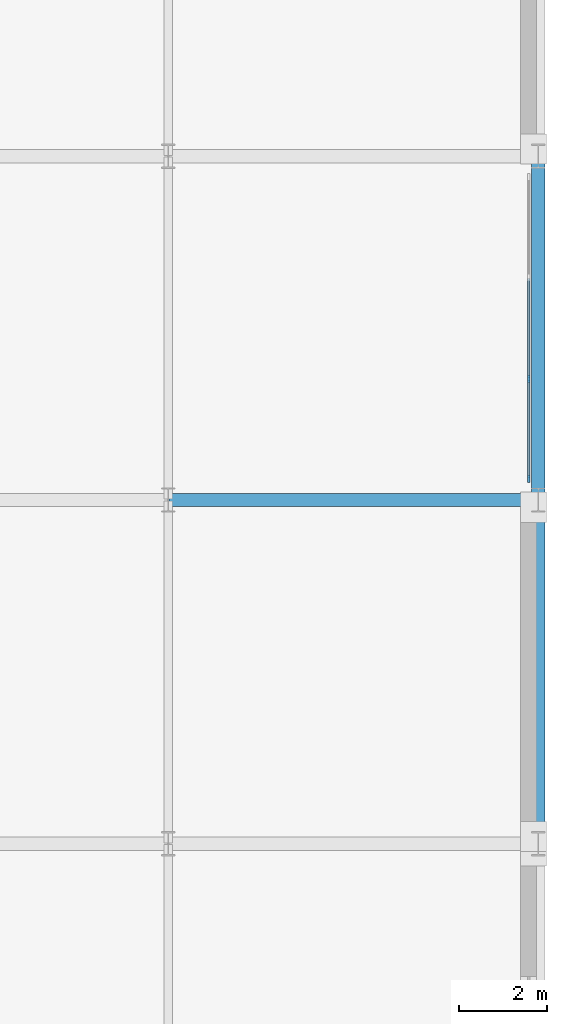
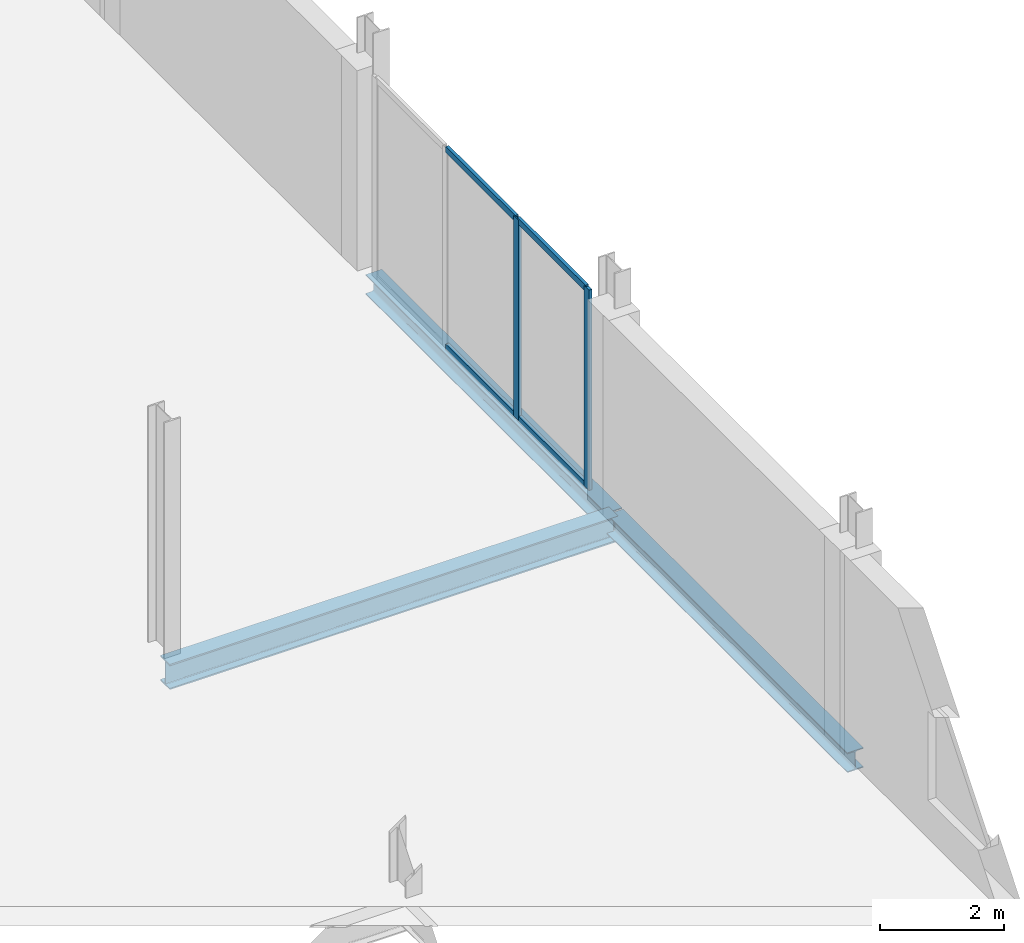
# One storey, part 53 of 98: 6 members, 3 beams, 1 element without a shape of its own.
"""IFC4 building model written with IfcOpenShell, lengths in metres."""

from ifc_helpers import new_model, si_unit, direction, frame, origin, origin_2d, place, context, subcontext, project, spatial, rectangle, i_section, extrude, material, material_profile, profile_set, type_object, element, aggregate, save


model = new_model("IFC4")

# Units and contexts
model_context = context("Model", 3, precision=1e-05, world=origin(), true_north=direction((0.0, 1.0)))
body_context = subcontext(model_context, "Body", "Model", "MODEL_VIEW")
ifc_project = project(units=[si_unit("LENGTHUNIT", "METRE"), si_unit("AREAUNIT", "SQUARE_METRE"), si_unit("VOLUMEUNIT", "CUBIC_METRE"), si_unit("PLANEANGLEUNIT", "RADIAN"), si_unit("MASSUNIT", "GRAM", prefix="KILO")], contexts=[model_context])

# Site, building, storey
site_placement = place(None, origin())
site = spatial("IfcSite", under=ifc_project, at=site_placement, CompositionType="ELEMENT")
building_placement = place(site_placement, origin())
building = spatial("IfcBuilding", under=site, at=building_placement, Name="Nabrawat Pavilion Hospital", CompositionType="ELEMENT")
storey_placement = place(building_placement, frame((0.0, 0.0, 10.199951171875)))
storey = spatial("IfcBuildingStorey", under=building, at=storey_placement, Name="L02", CompositionType="ELEMENT", Elevation=10.199951171875)

# Curtain wall, members
ifc_material_1 = material(Name="Anodised Aluminium", Category="aluminium")
curtain_wall_type = type_object("IfcCurtainWallType", Name="Inpatient Dayroom Bay Curtain Wall", PredefinedType="USERDEFINED", material=ifc_material_1)
curtain_wall_placement = place(storey_placement, origin())
curtain_wall = element("IfcCurtainWall", 1, at=curtain_wall_placement, inside=storey, type_object=curtain_wall_type, Name="L02 Inpatient Dayroom Bay Curtain Wall 139", ObjectType="CURTAIN WALL", PredefinedType="USERDEFINED")
ifc_material_profile_1 = material_profile(ifc_material_1, rectangle(XDim=0.06005859375, YDim=0.159912109375, at=origin_2d()), Name="CWM 60x160")
ifc_profile_set_1 = profile_set([ifc_material_profile_1], Name="Anodised Aluminium")
member_type_1 = type_object("IfcMemberType", Name="Inpatient Dayroom Bay Curtain Wall Mullion CWM 60x160", PredefinedType="MULLION", material=ifc_profile_set_1)
member_1_placement = place(storey_placement, frame((192.97998046875, 55.074951171875, 0.0), z_axis=(0.0, 0.0, 1.0), x_axis=(-1.0, 0.0, 0.0)))
member_1 = element("IfcMember", 2, at=member_1_placement, type_object=member_type_1, Name="CW-WRD-01 mullion 1", PredefinedType="MULLION", context=body_context, shape_type="SweptSolid", body=[
    extrude(rectangle(XDim=0.06005859375, YDim=0.159912109375, at=origin_2d()), origin(), (0.0, 0.0, 1.0), 3.949951171875),
])
member_2_placement = place(storey_placement, frame((192.97998046875, 57.348388671875, 0.0), z_axis=(0.0, 0.0, 1.0), x_axis=(-1.0, 0.0, 0.0)))
member_2 = element("IfcMember", 3, at=member_2_placement, type_object=member_type_1, Name="CW-WRD-01 mullion 2", PredefinedType="MULLION", context=body_context, shape_type="SweptSolid", body=[
    extrude(rectangle(XDim=0.06005859375, YDim=0.159912109375, at=origin_2d()), origin(), (0.0, 0.0, 1.0), 3.949951171875),
])
ifc_material_profile_2 = material_profile(ifc_material_1, rectangle(XDim=0.06005859375, YDim=0.1201171875, at=origin_2d()), Name="CWT 60x120")
ifc_profile_set_2 = profile_set([ifc_material_profile_2], Name="Anodised Aluminium")
member_type_2 = type_object("IfcMemberType", Name="Inpatient Dayroom Bay Curtain Wall Transom CWT 60x120", PredefinedType="USERDEFINED", material=ifc_profile_set_2)
member_3_placement = place(storey_placement, frame((192.97998046875, 55.10498046875, 0.030029296875), z_axis=(0.0, 1.0, 0.0), x_axis=(-1.0, 0.0, 0.0)))
member_3 = element("IfcMember", 4, at=member_3_placement, type_object=member_type_2, Name="CW-WRD-01 transom 1.1", ObjectType="TRANSOM", PredefinedType="USERDEFINED", context=body_context, shape_type="SweptSolid", body=[
    extrude(rectangle(XDim=0.06005859375, YDim=0.1201171875, at=origin_2d()), origin(), (0.0, 0.0, 1.0), 2.21337890625),
])
member_4_placement = place(storey_placement, frame((192.97998046875, 55.10498046875, 3.920166015625), z_axis=(0.0, 1.0, 0.0), x_axis=(-1.0, 0.0, 0.0)))
member_4 = element("IfcMember", 5, at=member_4_placement, type_object=member_type_2, Name="CW-WRD-01 transom 1.2", ObjectType="TRANSOM", PredefinedType="USERDEFINED", context=body_context, shape_type="SweptSolid", body=[
    extrude(rectangle(XDim=0.06005859375, YDim=0.1201171875, at=origin_2d()), origin(), (0.0, 0.0, 1.0), 2.21337890625),
])
member_5_placement = place(storey_placement, frame((192.97998046875, 57.37841796875, 0.030029296875), z_axis=(0.0, 1.0, 0.0), x_axis=(-1.0, 0.0, 0.0)))
member_5 = element("IfcMember", 6, at=member_5_placement, type_object=member_type_2, Name="CW-WRD-01 transom 2.1", ObjectType="TRANSOM", PredefinedType="USERDEFINED", context=body_context, shape_type="SweptSolid", body=[
    extrude(rectangle(XDim=0.06005859375, YDim=0.1201171875, at=origin_2d()), origin(), (0.0, 0.0, 1.0), 2.2431640625),
])
member_6_placement = place(storey_placement, frame((192.97998046875, 57.37841796875, 3.920166015625), z_axis=(0.0, 1.0, 0.0), x_axis=(-1.0, 0.0, 0.0)))
member_6 = element("IfcMember", 7, at=member_6_placement, type_object=member_type_2, Name="CW-WRD-01 transom 2.2", ObjectType="TRANSOM", PredefinedType="USERDEFINED", context=body_context, shape_type="SweptSolid", body=[
    extrude(rectangle(XDim=0.06005859375, YDim=0.1201171875, at=origin_2d()), origin(), (0.0, 0.0, 1.0), 2.2431640625),
])
aggregate(curtain_wall, [member_1, member_2, member_3, member_4, member_5, member_6])

# Beams
ifc_material_2 = material(Name="Steel S355", Category="steel")
ifc_material_profile_3 = material_profile(ifc_material_2, i_section(OverallWidth=0.300048828125, OverallDepth=0.389892578125, WebThickness=0.010986328125, FlangeThickness=0.01904296875, FilletRadius=0.027099609375, at=origin_2d()), Name="HEA 400")
ifc_profile_set_3 = profile_set([ifc_material_profile_3], Name="Steel S355")
beam_type_1 = type_object("IfcBeamType", Name="Perimeter Moment Spandrel Beam HEA 400", PredefinedType="SPANDREL", material=ifc_profile_set_3)
beam_1_placement = place(storey_placement, frame((193.199951171875, 46.820068359375, -0.445068359375), z_axis=(0.0, 1.0, 0.0), x_axis=(-1.0, 0.0, 0.0)))
element("IfcBeam", 8, at=beam_1_placement, inside=storey, type_object=beam_type_1, Name="L02 Primary Y Beam 1395", PredefinedType="SPANDREL", context=body_context, shape_type="SweptSolid", body=[
    extrude(i_section(OverallWidth=0.300048828125, OverallDepth=0.389892578125, WebThickness=0.010986328125, FlangeThickness=0.01904296875, FilletRadius=0.027099609375, at=origin_2d()), origin(), (0.0, 0.0, 1.0), 7.760009765625),
])
beam_2_placement = place(storey_placement, frame((193.199951171875, 54.6201171875, -0.445068359375), z_axis=(0.0, 1.0, 0.0), x_axis=(-1.0, 0.0, 0.0)))
element("IfcBeam", 9, at=beam_2_placement, inside=storey, type_object=beam_type_1, Name="L02 Primary Y Beam 1396", PredefinedType="SPANDREL", context=body_context, shape_type="SweptSolid", body=[
    extrude(i_section(OverallWidth=0.300048828125, OverallDepth=0.389892578125, WebThickness=0.010986328125, FlangeThickness=0.01904296875, FilletRadius=0.027099609375, at=origin_2d()), origin(), (0.0, 0.0, 1.0), 7.759765625),
])
ifc_material_profile_4 = material_profile(ifc_material_2, i_section(OverallWidth=0.300048828125, OverallDepth=0.5, WebThickness=0.014404296875, FlangeThickness=0.028076171875, FilletRadius=0.027099609375, at=origin_2d()), Name="HEB 500")
ifc_profile_set_4 = profile_set([ifc_material_profile_4], Name="Steel S355")
beam_type_2 = type_object("IfcBeamType", Name="Primary Floor Girder HEB 500", PredefinedType="USERDEFINED", material=ifc_profile_set_4)
beam_3_placement = place(storey_placement, frame((184.820068359375, 54.60009765625, -0.5), z_axis=(1.0, 0.0, 0.0), x_axis=(0.0, 1.0, 0.0)))
element("IfcBeam", 10, at=beam_3_placement, inside=storey, type_object=beam_type_2, Name="L02 Primary X Girder 1039", ObjectType="GIRDER", PredefinedType="USERDEFINED", context=body_context, shape_type="SweptSolid", body=[
    extrude(i_section(OverallWidth=0.300048828125, OverallDepth=0.5, WebThickness=0.014404296875, FlangeThickness=0.028076171875, FilletRadius=0.027099609375, at=origin_2d()), origin(), (0.0, 0.0, 1.0), 8.35986328125),
])

save(model, "model.ifc")
